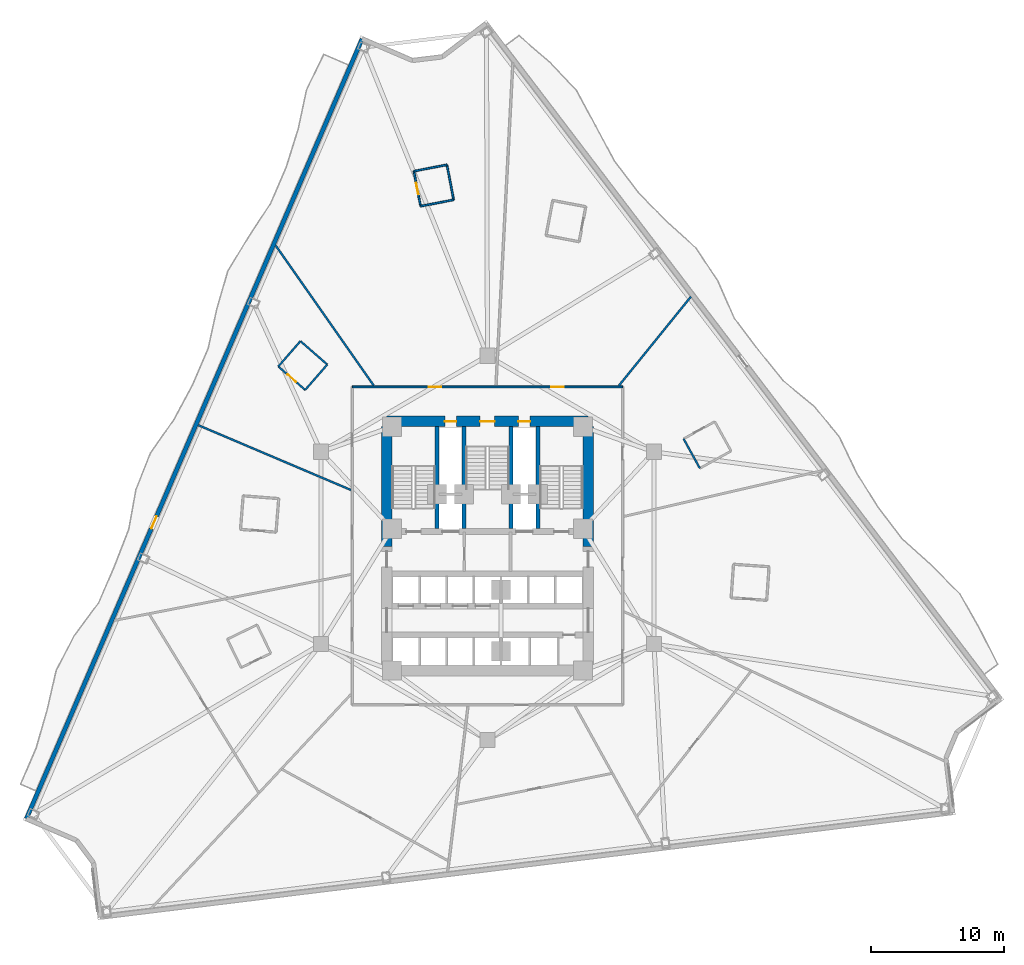
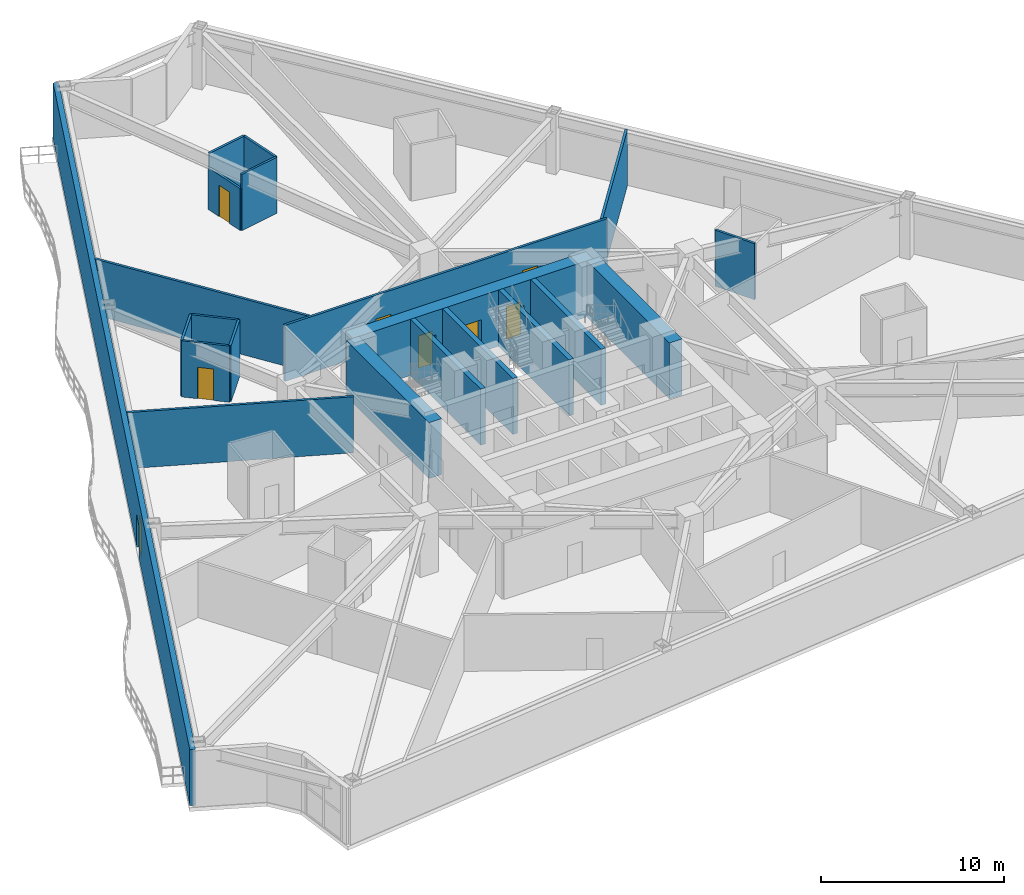
# One storey, part 9 of 14: 21 walls, 8 doors, 8 openings.
"""IFC4 building model written with IfcOpenShell, lengths in metres."""

from ifc_helpers import new_model, si_unit, direction, frame, frame_2d, origin, place, context, subcontext, project, spatial, rectangle, extrude, material, layer, layer_set, type_object, element, fill, save


model = new_model("IFC4")

# Units and contexts
model_context = context("Model", 3, precision=1e-05, world=origin(), true_north=direction((0.0, 1.0)))
body_context = subcontext(model_context, "Body", "Model", "MODEL_VIEW")
ifc_project = project(units=[si_unit("LENGTHUNIT", "METRE"), si_unit("AREAUNIT", "SQUARE_METRE"), si_unit("VOLUMEUNIT", "CUBIC_METRE"), si_unit("PLANEANGLEUNIT", "RADIAN"), si_unit("MASSUNIT", "GRAM", prefix="KILO")], contexts=[model_context])

# Site, building, storey
site_placement = place(None, origin())
site = spatial("IfcSite", under=ifc_project, at=site_placement, CompositionType="ELEMENT")
building_placement = place(site_placement, origin())
building = spatial("IfcBuilding", under=site, at=building_placement, Name="Apsidion Concourse Tower", CompositionType="ELEMENT")
storey_placement = place(building_placement, frame((0.0, 0.0, 79.0)))
storey = spatial("IfcBuildingStorey", under=building, at=storey_placement, Name="L17", CompositionType="ELEMENT", Elevation=79.0)

# Wall, opening, door
ifc_material_1 = material(Name="Precast concrete C40/50", Category="concrete")
ifc_layer_1 = layer(ifc_material_1, 0.320068359375)
ifc_layer_set_1 = layer_set([ifc_layer_1], Name="Precast concrete C40/50")
wall_type_1 = type_object("IfcWallType", Name="WL-EXT-320", PredefinedType="STANDARD", material=ifc_layer_set_1)
wall_1_placement = place(storey_placement, frame((-34.787353515625, -20.429443359375, 0.0), z_axis=(0.0, 0.0, 1.0), x_axis=(0.395418293843, 0.91850115563, 0.0)))
wall_1 = element("IfcWall", 1, at=wall_1_placement, inside=storey, type_object=wall_type_1, Name="L17 Precast Stone Facade Wall 09", PredefinedType="STANDARD", context=body_context, shape_type="SweptSolid", body=[
    extrude(rectangle(XDim=64.058349609375, YDim=0.320068359375, at=frame_2d((32.029296875, 0.0))), origin(), (0.0, 0.0, 1.0), 3.75),
])
opening_1_placement = place(wall_1_placement, frame((23.84228515625, 0.0, 0.0)))
opening_1 = element("IfcOpeningElement", 2, at=opening_1_placement, cuts=wall_1, Name="Opening D-T1L", PredefinedType="OPENING", context=body_context, shape_type="SweptSolid", body=[
    extrude(rectangle(XDim=1.0, YDim=2.14990234375, at=frame_2d((0.5, 1.074951171875))), frame((0.0, 0.169921875, 0.0), z_axis=(0.0, -1.0, 0.0), x_axis=(1.0, 0.0, 0.0)), (0.0, 0.0, 1.0), 0.340087890625),
])
ifc_material_2 = material(Name="Anodised aluminium EN AW-6063 T6", Category="aluminium")
door_type_1 = type_object("IfcDoorType", Name="DR-TER-1022L", OperationType="SINGLE_SWING_LEFT", PredefinedType="DOOR", material=ifc_material_2)
door_1_placement = place(opening_1_placement, origin())
door_1 = element("IfcDoor", 3, at=door_1_placement, inside=storey, type_object=door_type_1, Name="L17 Balcony Access Door 2", OperationType="SINGLE_SWING_LEFT", OverallHeight=2.14990234375, OverallWidth=1.0, PredefinedType="DOOR", context=body_context, shape_type="SweptSolid", body=[
    extrude(rectangle(XDim=1.0, YDim=2.14990234375, at=frame_2d((0.5, 1.074951171875))), frame((0.0, 0.02490234375, 0.0), z_axis=(0.0, -1.0, 0.0), x_axis=(1.0, 0.0, 0.0)), (0.0, 0.0, 1.0), 0.050048828125),
])
fill(opening_1, door_1)

# Walls
ifc_material_3 = material(Name="Gypsum plasterboard partition")
ifc_layer_2 = layer(ifc_material_3, 0.139892578125)
ifc_layer_set_2 = layer_set([ifc_layer_2], Name="Gypsum plasterboard partition")
wall_type_2 = type_object("IfcWallType", Name="WL-INT-PAR-140", PredefinedType="PARTITIONING", material=ifc_layer_set_2)
wall_2_placement = place(storey_placement, frame((14.80029296875, 8.23388671875, 0.0), z_axis=(0.0, 0.0, 1.0), x_axis=(0.483290772528, -0.87545989582, 0.0)))
element("IfcWall", 4, at=wall_2_placement, inside=storey, type_object=wall_type_2, Name="L17 Interior Partition WL-L17-POD-ENS05-S4", PredefinedType="PARTITIONING", context=body_context, shape_type="SweptSolid", body=[
    extrude(rectangle(XDim=2.5400390625, YDim=0.139892578125, at=frame_2d((1.27001953125, 0.0))), origin(), (0.0, 0.0, 1.0), 3.75),
])
wall_3_placement = place(storey_placement, frame((-2.548828125, 26.267333984375, 0.0), z_axis=(0.0, 0.0, 1.0), x_axis=(-0.189146988479, 0.981948785197, 0.0)))
element("IfcWall", 5, at=wall_3_placement, inside=storey, type_object=wall_type_2, Name="L17 Interior Partition WL-L17-POD-ENS07-S1", PredefinedType="PARTITIONING", context=body_context, shape_type="SweptSolid", body=[
    extrude(rectangle(XDim=2.68994140625, YDim=0.139892578125, at=frame_2d((1.344970703125, 0.0))), origin(), (0.0, 0.0, 1.0), 3.75),
])
wall_4_placement = place(storey_placement, frame((-3.0576171875, 28.90869140625, 0.0), z_axis=(0.0, 0.0, 1.0), x_axis=(-0.981963915314, -0.18906842418, 0.0)))
element("IfcWall", 6, at=wall_4_placement, inside=storey, type_object=wall_type_2, Name="L17 Interior Partition WL-L17-POD-ENS07-S2", PredefinedType="PARTITIONING", context=body_context, shape_type="SweptSolid", body=[
    extrude(rectangle(XDim=2.5400390625, YDim=0.139892578125, at=frame_2d((1.27001953125, 0.0))), origin(), (0.0, 0.0, 1.0), 3.75),
])

# Wall, opening, door
wall_5_placement = place(storey_placement, frame((-5.5517578125, 28.428466796875, 0.0), z_axis=(0.0, 0.0, 1.0), x_axis=(0.189059471851, -0.981965638963, 0.0)))
wall_5 = element("IfcWall", 7, at=wall_5_placement, inside=storey, type_object=wall_type_2, Name="L17 Interior Partition WL-L17-POD-ENS07-S3", PredefinedType="PARTITIONING", context=body_context, shape_type="SweptSolid", body=[
    extrude(rectangle(XDim=2.68994140625, YDim=0.139892578125, at=frame_2d((1.344970703125, 0.0))), origin(), (0.0, 0.0, 1.0), 2.798095703125),
])
opening_2_placement = place(wall_5_placement, frame((0.905029296875, 0.0, 0.0)))
opening_2 = element("IfcOpeningElement", 8, at=opening_2_placement, cuts=wall_5, Name="Opening D-03R", PredefinedType="OPENING", context=body_context, shape_type="SweptSolid", body=[
    extrude(rectangle(XDim=0.8798828125, YDim=2.10009765625, at=frame_2d((0.43994140625, 1.050048828125))), frame((0.0, 0.080078125, 0.0), z_axis=(0.0, -1.0, 0.0), x_axis=(1.0, 0.0, 0.0)), (0.0, 0.0, 1.0), 0.159912109375),
])
door_type_2 = type_object("IfcDoorType", Name="DR-INT-D03R", OperationType="SINGLE_SWING_RIGHT", PredefinedType="DOOR", material=ifc_material_2)
door_2_placement = place(opening_2_placement, origin())
door_2 = element("IfcDoor", 9, at=door_2_placement, inside=storey, type_object=door_type_2, Name="L17 Guest En-Suite Bathroom Door ENS07", OperationType="SINGLE_SWING_RIGHT", OverallHeight=2.10009765625, OverallWidth=0.8798828125, PredefinedType="DOOR", context=body_context, shape_type="SweptSolid", body=[
    extrude(rectangle(XDim=0.8798828125, YDim=2.10009765625, at=frame_2d((0.43994140625, 1.050048828125))), frame((0.0, 0.02490234375, 0.0), z_axis=(0.0, -1.0, 0.0), x_axis=(1.0, 0.0, 0.0)), (0.0, 0.0, 1.0), 0.050048828125),
])
fill(opening_2, door_2)

# Walls
wall_6_placement = place(storey_placement, frame((-5.043212890625, 25.787109375, 0.0), z_axis=(0.0, 0.0, 1.0), x_axis=(0.981967350823, 0.189050580314, 0.0)))
element("IfcWall", 10, at=wall_6_placement, inside=storey, type_object=wall_type_2, Name="L17 Interior Partition WL-L17-POD-ENS07-S4", PredefinedType="PARTITIONING", context=body_context, shape_type="SweptSolid", body=[
    extrude(rectangle(XDim=2.540283203125, YDim=0.139892578125, at=frame_2d((1.27001953125, 0.0))), origin(), (0.0, 0.0, 1.0), 3.75),
])
wall_7_placement = place(storey_placement, frame((-12.084228515625, 13.837158203125, 0.0), z_axis=(0.0, 0.0, 1.0), x_axis=(-0.753570970325, 0.657366558842, 0.0)))
element("IfcWall", 11, at=wall_7_placement, inside=storey, type_object=wall_type_2, Name="L17 Interior Partition WL-L17-POD-ENS08-S1", PredefinedType="PARTITIONING", context=body_context, shape_type="SweptSolid", body=[
    extrude(rectangle(XDim=2.68994140625, YDim=0.139892578125, at=frame_2d((1.344970703125, 0.0))), origin(), (0.0, 0.0, 1.0), 3.75),
])
wall_8_placement = place(storey_placement, frame((-14.111328125, 15.60546875, 0.0), z_axis=(0.0, 0.0, 1.0), x_axis=(-0.657360622572, -0.753576148701, 0.0)))
element("IfcWall", 12, at=wall_8_placement, inside=storey, type_object=wall_type_2, Name="L17 Interior Partition WL-L17-POD-ENS08-S2", PredefinedType="PARTITIONING", context=body_context, shape_type="SweptSolid", body=[
    extrude(rectangle(XDim=2.5400390625, YDim=0.139892578125, at=frame_2d((1.27001953125, 0.0))), origin(), (0.0, 0.0, 1.0), 3.75),
])

# Wall, opening, door
wall_9_placement = place(storey_placement, frame((-15.781005859375, 13.69140625, 0.0), z_axis=(0.0, 0.0, 1.0), x_axis=(0.753570970325, -0.657366558842, 0.0)))
wall_9 = element("IfcWall", 13, at=wall_9_placement, inside=storey, type_object=wall_type_2, Name="L17 Interior Partition WL-L17-POD-ENS08-S3", PredefinedType="PARTITIONING", context=body_context, shape_type="SweptSolid", body=[
    extrude(rectangle(XDim=2.68994140625, YDim=0.139892578125, at=frame_2d((1.344970703125, 0.0))), origin(), (0.0, 0.0, 1.0), 3.75),
])
opening_3_placement = place(wall_9_placement, frame((0.905029296875, 0.0, 0.0)))
opening_3 = element("IfcOpeningElement", 14, at=opening_3_placement, cuts=wall_9, Name="Opening D-03L", PredefinedType="OPENING", context=body_context, shape_type="SweptSolid", body=[
    extrude(rectangle(XDim=0.8798828125, YDim=2.10009765625, at=frame_2d((0.43994140625, 1.050048828125))), frame((0.0, 0.080078125, 0.0), z_axis=(0.0, -1.0, 0.0), x_axis=(1.0, 0.0, 0.0)), (0.0, 0.0, 1.0), 0.159912109375),
])
door_type_3 = type_object("IfcDoorType", Name="DR-INT-D03L", OperationType="SINGLE_SWING_LEFT", PredefinedType="DOOR", material=ifc_material_2)
door_3_placement = place(opening_3_placement, origin())
door_3 = element("IfcDoor", 15, at=door_3_placement, inside=storey, type_object=door_type_3, Name="L17 Guest En-Suite Bathroom Door ENS08", OperationType="SINGLE_SWING_LEFT", OverallHeight=2.10009765625, OverallWidth=0.8798828125, PredefinedType="DOOR", context=body_context, shape_type="SweptSolid", body=[
    extrude(rectangle(XDim=0.8798828125, YDim=2.10009765625, at=frame_2d((0.43994140625, 1.050048828125))), frame((0.0, 0.02490234375, 0.0), z_axis=(0.0, -1.0, 0.0), x_axis=(1.0, 0.0, 0.0)), (0.0, 0.0, 1.0), 0.050048828125),
])
fill(opening_3, door_3)

# Wall
wall_10_placement = place(storey_placement, frame((-13.75390625, 11.923095703125, 0.0), z_axis=(0.0, 0.0, 1.0), x_axis=(0.657360622572, 0.753576148701, 0.0)))
element("IfcWall", 16, at=wall_10_placement, inside=storey, type_object=wall_type_2, Name="L17 Interior Partition WL-L17-POD-ENS08-S4", PredefinedType="PARTITIONING", context=body_context, shape_type="SweptSolid", body=[
    extrude(rectangle(XDim=2.5400390625, YDim=0.139892578125, at=frame_2d((1.27001953125, 0.0))), origin(), (0.0, 0.0, 1.0), 3.75),
])

# Wall, openings, doors
ifc_layer_3 = layer(ifc_material_3, 0.14990234375)
ifc_layer_set_3 = layer_set([ifc_layer_3], Name="Gypsum plasterboard partition")
wall_type_3 = type_object("IfcWallType", Name="WL-INT-PAR-150", PredefinedType="PARTITIONING", material=ifc_layer_set_3)
wall_11_placement = place(storey_placement, frame((-10.199951171875, 12.14990234375, 0.0), z_axis=(0.0, 0.0, 1.0), x_axis=(1.0, 0.0, 0.0)))
wall_11 = element("IfcWall", 17, at=wall_11_placement, inside=storey, type_object=wall_type_3, Name="L17 Interior Partition WL-L17-CORR-01", PredefinedType="PARTITIONING", context=body_context, shape_type="SweptSolid", body=[
    extrude(rectangle(XDim=20.39990234375, YDim=0.14990234375, at=frame_2d((10.199951171875, 0.0))), origin(), (0.0, 0.0, 1.0), 3.75),
])
opening_4_placement = place(wall_11_placement, frame((15.008544921875, 0.0, 0.0)))
opening_4 = element("IfcOpeningElement", 18, at=opening_4_placement, cuts=wall_11, Name="Opening D-01L", PredefinedType="OPENING", context=body_context, shape_type="SweptSolid", body=[
    extrude(rectangle(XDim=0.949951171875, YDim=2.14990234375, at=frame_2d((0.47509765625, 1.074951171875))), frame((0.0, 0.0849609375, 0.0), z_axis=(0.0, -1.0, 0.0), x_axis=(1.0, 0.0, 0.0)), (0.0, 0.0, 1.0), 0.169921875),
])
opening_5_placement = place(wall_11_placement, frame((5.757080078125, 0.0, 0.0)))
opening_5 = element("IfcOpeningElement", 19, at=opening_5_placement, cuts=wall_11, Name="Opening D-01R", PredefinedType="OPENING", context=body_context, shape_type="SweptSolid", body=[
    extrude(rectangle(XDim=0.949951171875, YDim=2.14990234375, at=frame_2d((0.47509765625, 1.074951171875))), frame((0.0, 0.0849609375, 0.0), z_axis=(0.0, -1.0, 0.0), x_axis=(1.0, 0.0, 0.0)), (0.0, 0.0, 1.0), 0.169921875),
])
ifc_material_4 = material(Name="Brushed stainless steel 316", Category="steel")
door_type_4 = type_object("IfcDoorType", Name="DR-INT-D01L", OperationType="SINGLE_SWING_LEFT", PredefinedType="DOOR", material=ifc_material_4)
door_4_placement = place(opening_4_placement, origin())
door_4 = element("IfcDoor", 20, at=door_4_placement, inside=storey, type_object=door_type_4, Name="L17 Corridor Entry Door 07", OperationType="SINGLE_SWING_LEFT", OverallHeight=2.14990234375, OverallWidth=0.949951171875, PredefinedType="DOOR", context=body_context, shape_type="SweptSolid", body=[
    extrude(rectangle(XDim=0.949951171875, YDim=2.14990234375, at=frame_2d((0.47509765625, 1.074951171875))), frame((0.0, 0.02490234375, 0.0), z_axis=(0.0, -1.0, 0.0), x_axis=(1.0, 0.0, 0.0)), (0.0, 0.0, 1.0), 0.050048828125),
])
fill(opening_4, door_4)
door_type_5 = type_object("IfcDoorType", Name="DR-INT-D01R", OperationType="SINGLE_SWING_RIGHT", PredefinedType="DOOR", material=ifc_material_4)
door_5_placement = place(opening_5_placement, origin())
door_5 = element("IfcDoor", 21, at=door_5_placement, inside=storey, type_object=door_type_5, Name="L17 Corridor Entry Door 08", OperationType="SINGLE_SWING_RIGHT", OverallHeight=2.14990234375, OverallWidth=0.949951171875, PredefinedType="DOOR", context=body_context, shape_type="SweptSolid", body=[
    extrude(rectangle(XDim=0.949951171875, YDim=2.14990234375, at=frame_2d((0.47509765625, 1.074951171875))), frame((0.0, 0.02490234375, 0.0), z_axis=(0.0, -1.0, 0.0), x_axis=(1.0, 0.0, 0.0)), (0.0, 0.0, 1.0), 0.050048828125),
])
fill(opening_5, door_5)

# Walls
wall_12_placement = place(storey_placement, frame((9.923828125, 12.2548828125, 0.0), z_axis=(0.0, 0.0, 1.0), x_axis=(0.629323624844, 0.777143342771, 0.0)))
element("IfcWall", 22, at=wall_12_placement, inside=storey, type_object=wall_type_3, Name="L17 Interior Partition WL-L17-RAD-02-1", PredefinedType="PARTITIONING", context=body_context, shape_type="SweptSolid", body=[
    extrude(rectangle(XDim=8.624755859375, YDim=0.14990234375, at=frame_2d((4.3125, 0.0))), origin(), (0.0, 0.0, 1.0), 3.75),
])
wall_13_placement = place(storey_placement, frame((-8.5810546875, 12.2548828125, 0.0), z_axis=(0.0, 0.0, 1.0), x_axis=(-0.573567793506, 0.819158096006, 0.0)))
element("IfcWall", 23, at=wall_13_placement, inside=storey, type_object=wall_type_3, Name="L17 Interior Partition WL-L17-RAD-04-1", PredefinedType="PARTITIONING", context=body_context, shape_type="SweptSolid", body=[
    extrude(rectangle(XDim=12.896484375, YDim=0.14990234375, at=frame_2d((6.4482421875, 0.0))), origin(), (0.0, 0.0, 1.0), 3.75),
])
wall_14_placement = place(storey_placement, frame((-10.304931640625, 4.374267578125, 0.0), z_axis=(0.0, 0.0, 1.0), x_axis=(-0.920509868411, 0.390719313777, 0.0)))
element("IfcWall", 24, at=wall_14_placement, inside=storey, type_object=wall_type_3, Name="L17 Interior Partition WL-L17-RAD-05-1", PredefinedType="PARTITIONING", context=body_context, shape_type="SweptSolid", body=[
    extrude(rectangle(XDim=12.50439453125, YDim=0.14990234375, at=frame_2d((6.252197265625, 0.0))), origin(), (0.0, 0.0, 1.0), 3.75),
])
ifc_material_5 = material(Name="Concrete C50/60", Category="concrete")
ifc_layer_4 = layer(ifc_material_5, 0.300048828125)
ifc_layer_set_4 = layer_set([ifc_layer_4], Name="Concrete C50/60")
wall_type_4 = type_object("IfcWallType", Name="WL-SH-300", PredefinedType="SHEAR", material=ifc_layer_set_4)
for number, where, z_axis, x_axis, name in (
    (25, (-3.800048828125, 1.449951171875, 0.0), (0.0, 0.0, 1.0), (0.0, 1.0, 0.0), "L17 Central Core Shear Wall V1"),
    (26, (-1.77490234375, 1.449951171875, 0.0), (0.0, 0.0, 1.0), (0.0, 1.0, 0.0), "L17 Central Core Shear Wall V2"),
    (27, (1.77490234375, 1.449951171875, 0.0), (0.0, 0.0, 1.0), (0.0, 1.0, 0.0), "L17 Central Core Shear Wall V3"),
    (28, (3.800048828125, 1.449951171875, 0.0), (0.0, 0.0, 1.0), (0.0, 1.0, 0.0), "L17 Central Core Shear Wall V4"),
):
    element("IfcWall", number, at=place(storey_placement, frame(where, z_axis=z_axis, x_axis=x_axis)), inside=storey, type_object=wall_type_4, Name=name, PredefinedType="SHEAR", context=body_context, shape_type="SweptSolid", body=[
        extrude(rectangle(XDim=7.699951171875, YDim=0.300048828125, at=frame_2d((3.85009765625, 0.0))), origin(), (0.0, 0.0, 1.0), 3.75),
    ])

# Wall, openings, doors
ifc_material_6 = material(Name="Concrete C60/75", Category="concrete")
ifc_layer_5 = layer(ifc_material_6, 0.800048828125)
ifc_layer_set_5 = layer_set([ifc_layer_5], Name="Concrete C60/75")
wall_type_5 = type_object("IfcWallType", Name="WL-SH-800", PredefinedType="SHEAR", material=ifc_layer_set_5)
wall_15_placement = place(storey_placement, frame((-7.60009765625, 9.550048828125, 0.0), z_axis=(0.0, 0.0, 1.0), x_axis=(1.0, 0.0, 0.0)))
wall_15 = element("IfcWall", 29, at=wall_15_placement, inside=storey, type_object=wall_type_5, Name="L17 Central Core Shear Wall N", PredefinedType="SHEAR", context=body_context, shape_type="SweptSolid", body=[
    extrude(rectangle(XDim=15.2001953125, YDim=0.800048828125, at=frame_2d((7.60009765625, 0.0))), origin(), (0.0, 0.0, 1.0), 3.75),
])
opening_6_placement = place(wall_15_placement, frame((7.050048828125, 0.0, 0.0)))
opening_6 = element("IfcOpeningElement", 30, at=opening_6_placement, cuts=wall_15, Name="Opening D-STL", PredefinedType="OPENING", context=body_context, shape_type="SweptSolid", body=[
    extrude(rectangle(XDim=1.10009765625, YDim=2.14990234375, at=frame_2d((0.550048828125, 1.074951171875))), frame((0.0, 0.41015625, 0.0), z_axis=(0.0, -1.0, 0.0), x_axis=(1.0, 0.0, 0.0)), (0.0, 0.0, 1.0), 0.820068359375),
])
opening_7_placement = place(wall_15_placement, frame((4.3798828125, 0.0, 0.0)))
opening_7 = element("IfcOpeningElement", 31, at=opening_7_placement, cuts=wall_15, Name="Opening D-05L", PredefinedType="OPENING", context=body_context, shape_type="SweptSolid", body=[
    extrude(rectangle(XDim=0.8798828125, YDim=2.14990234375, at=frame_2d((0.43994140625, 1.074951171875))), frame((0.0, 0.41015625, 0.0), z_axis=(0.0, -1.0, 0.0), x_axis=(1.0, 0.0, 0.0)), (0.0, 0.0, 1.0), 0.820068359375),
])
opening_8_placement = place(wall_15_placement, frame((9.93994140625, 0.0, 0.0)))
opening_8 = element("IfcOpeningElement", 32, at=opening_8_placement, cuts=wall_15, Name="Opening D-05R", PredefinedType="OPENING", context=body_context, shape_type="SweptSolid", body=[
    extrude(rectangle(XDim=0.8798828125, YDim=2.14990234375, at=frame_2d((0.43994140625, 1.074951171875))), frame((0.0, 0.41015625, 0.0), z_axis=(0.0, -1.0, 0.0), x_axis=(1.0, 0.0, 0.0)), (0.0, 0.0, 1.0), 0.820068359375),
])
door_type_6 = type_object("IfcDoorType", Name="DR-INT-D05L", OperationType="SINGLE_SWING_LEFT", PredefinedType="DOOR", material=ifc_material_4)
door_6_placement = place(opening_7_placement, origin())
door_6 = element("IfcDoor", 33, at=door_6_placement, inside=storey, type_object=door_type_6, Name="L17 Electrical Riser Shaft Access Door", OperationType="SINGLE_SWING_LEFT", OverallHeight=2.14990234375, OverallWidth=0.8798828125, PredefinedType="DOOR", context=body_context, shape_type="SweptSolid", body=[
    extrude(rectangle(XDim=0.8798828125, YDim=2.14990234375, at=frame_2d((0.43994140625, 1.074951171875))), frame((0.0, 0.02490234375, 0.0), z_axis=(0.0, -1.0, 0.0), x_axis=(1.0, 0.0, 0.0)), (0.0, 0.0, 1.0), 0.050048828125),
])
fill(opening_7, door_6)
door_type_7 = type_object("IfcDoorType", Name="DR-INT-D05R", OperationType="SINGLE_SWING_RIGHT", PredefinedType="DOOR", material=ifc_material_4)
door_7_placement = place(opening_8_placement, origin())
door_7 = element("IfcDoor", 34, at=door_7_placement, inside=storey, type_object=door_type_7, Name="L17 Mechanical Riser Shaft Access Door", OperationType="SINGLE_SWING_RIGHT", OverallHeight=2.14990234375, OverallWidth=0.8798828125, PredefinedType="DOOR", context=body_context, shape_type="SweptSolid", body=[
    extrude(rectangle(XDim=0.8798828125, YDim=2.14990234375, at=frame_2d((0.43994140625, 1.074951171875))), frame((0.0, 0.02490234375, 0.0), z_axis=(0.0, -1.0, 0.0), x_axis=(1.0, 0.0, 0.0)), (0.0, 0.0, 1.0), 0.050048828125),
])
fill(opening_8, door_7)
door_type_8 = type_object("IfcDoorType", Name="DR-INT-ST1L", OperationType="SINGLE_SWING_LEFT", PredefinedType="DOOR", material=ifc_material_4)
door_8_placement = place(opening_6_placement, origin())
door_8 = element("IfcDoor", 35, at=door_8_placement, inside=storey, type_object=door_type_8, Name="L17 Core Exit Stair ST3 Door", OperationType="SINGLE_SWING_LEFT", OverallHeight=2.14990234375, OverallWidth=1.10009765625, PredefinedType="DOOR", context=body_context, shape_type="SweptSolid", body=[
    extrude(rectangle(XDim=1.10009765625, YDim=2.14990234375, at=frame_2d((0.550048828125, 1.074951171875))), frame((0.0, 0.02490234375, 0.0), z_axis=(0.0, -1.0, 0.0), x_axis=(1.0, 0.0, 0.0)), (0.0, 0.0, 1.0), 0.050048828125),
])
fill(opening_6, door_8)

# Walls
for number, where, z_axis, x_axis, name in (
    (36, (-7.60009765625, 0.10009765625, 0.0), (0.0, 0.0, 1.0), (0.0, 1.0, 0.0), "L17 Central Core Shear Wall WN"),
    (37, (7.60009765625, 0.10009765625, 0.0), (0.0, 0.0, 1.0), (0.0, 1.0, 0.0), "L17 Central Core Shear Wall EN"),
):
    element("IfcWall", number, at=place(storey_placement, frame(where, z_axis=z_axis, x_axis=x_axis)), inside=storey, type_object=wall_type_5, Name=name, PredefinedType="SHEAR", context=body_context, shape_type="SweptSolid", body=[
        extrude(rectangle(XDim=9.0498046875, YDim=0.800048828125, at=frame_2d((4.52490234375, 0.0))), origin(), (0.0, 0.0, 1.0), 3.75),
    ])

save(model, "model.ifc")
